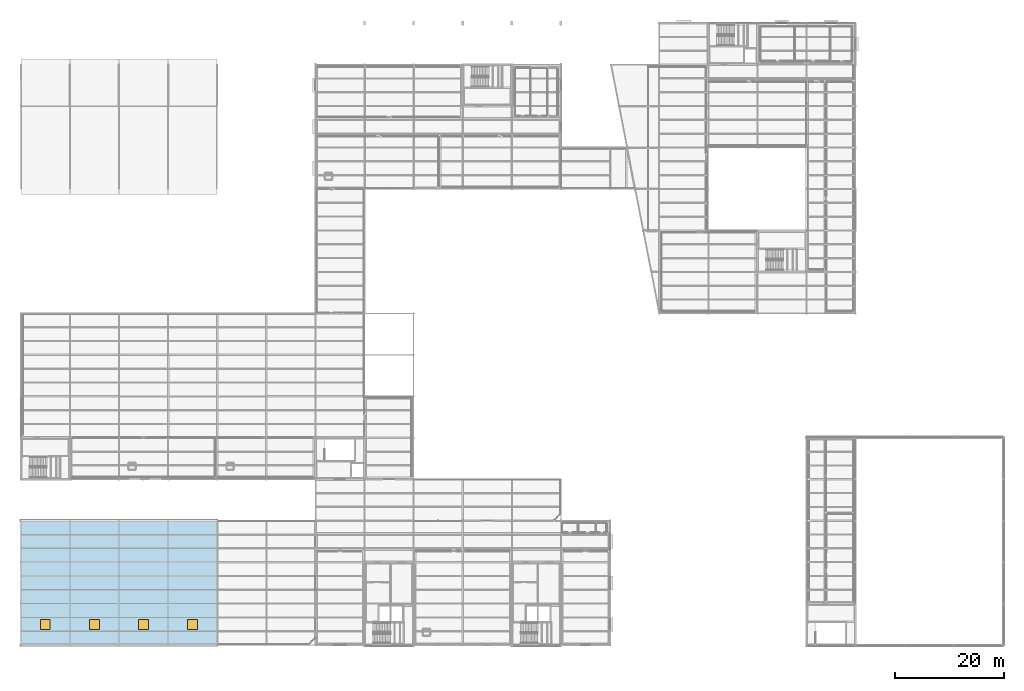
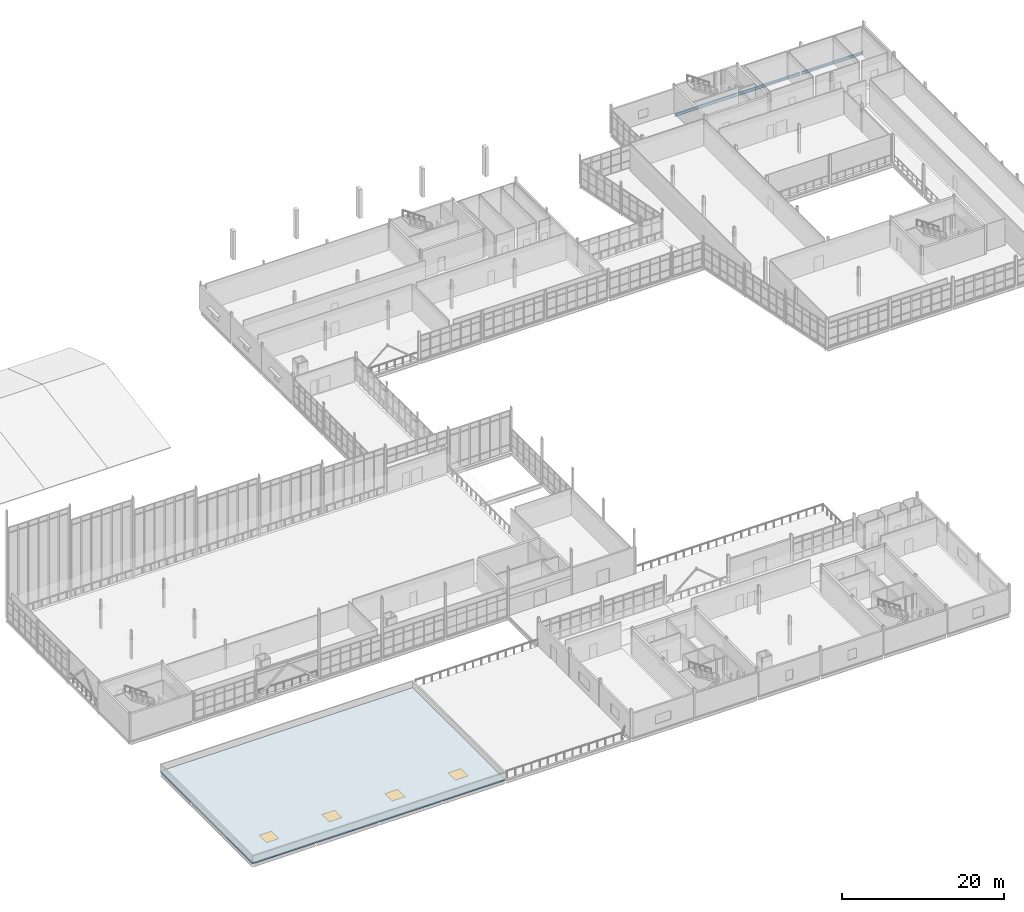
# One storey, part 122 of 166: 4 windows, 3 beams, 1 slab, 4 openings.
"""IFC4 building model written with IfcOpenShell, lengths in metres."""

import ifcopenshell
import ifcopenshell.guid

model = None  # the IFC model being written
_history = None  # IfcOwnerHistory: only IFC2X3 demands one
_inside = {}  # id of a spatial element -> (the spatial element, [elements in it])
_under = {}  # id of a project, library or spatial element -> (it, [spatial elements below it])
_declared = {}  # id of a project -> (the project, [libraries it declares])
_typed = {}  # id of a type object -> (the type object, [elements of that type])
_made_of = {}  # id of a material, layer set ... -> (it, [elements and type objects made of it])


def new_model(schema):
    """Start an empty IFC model of exactly this schema.

    Asked for "IFC4X3", IfcOpenShell would pick the latest addendum, in which some entities
    have other attributes; the version numbers below select the first issue.
    IFC2X3 requires an IfcOwnerHistory on every rooted entity: one is made here for all.
    """
    global model, _history
    if schema == "IFC4X3":
        model = ifcopenshell.file(schema_version=(4, 3, 0, 0))
    else:
        model = ifcopenshell.file(schema=schema)
    _inside.clear()
    _under.clear()
    _declared.clear()
    _typed.clear()
    _made_of.clear()
    _history = None
    if model.schema == "IFC2X3":
        org = make("IfcOrganization", Name="unknown")
        user = make(
            "IfcPersonAndOrganization",
            ThePerson=make("IfcPerson", FamilyName="unknown"),
            TheOrganization=org,
        )
        app = make(
            "IfcApplication",
            ApplicationDeveloper=org,
            Version="unknown",
            ApplicationFullName="unknown",
            ApplicationIdentifier="unknown",
        )
        _history = make(
            "IfcOwnerHistory",
            OwningUser=user,
            OwningApplication=app,
            ChangeAction="ADDED",
            CreationDate=0,
        )
    return model


def make(cls, **values):
    """One entity of the class cls with the attributes given. An attribute that is None is left unset."""
    return model.create_entity(
        cls, **{name: value for name, value in values.items() if value is not None}
    )


def rooted(cls, **values):
    """An entity with a GlobalId (a new one), such as an element, a storey or a relation."""
    return make(cls, GlobalId=ifcopenshell.guid.new(), OwnerHistory=_history, **values)


def si_unit(unit_type, name, prefix=None):
    """IfcSIUnit, for example si_unit("LENGTHUNIT", "METRE", prefix="MILLI")."""
    return make("IfcSIUnit", UnitType=unit_type, Prefix=prefix, Name=name)


def assignment(units):
    """IfcUnitAssignment: the units of a project."""
    return None if units is None else make("IfcUnitAssignment", Units=units)


def point(xyz):
    """IfcCartesianPoint."""
    return None if xyz is None else make("IfcCartesianPoint", Coordinates=xyz)


def direction(xyz):
    """IfcDirection."""
    return None if xyz is None else make("IfcDirection", DirectionRatios=xyz)


def frame(location, z_axis=None, x_axis=None):
    """IfcAxis2Placement3D, a coordinate frame: its origin and axes. An axis left out is left unset."""
    return make(
        "IfcAxis2Placement3D",
        Location=point(location),
        Axis=direction(z_axis),
        RefDirection=direction(x_axis),
    )


def frame_2d(location, x_axis=None):
    """IfcAxis2Placement2D, a coordinate frame in the plane: its origin and x axis."""
    return make(
        "IfcAxis2Placement2D", Location=point(location), RefDirection=direction(x_axis)
    )


def origin():
    """The frame at (0, 0, 0) with its axes left unset."""
    return frame((0.0, 0.0, 0.0))


def origin_2d():
    """The frame at (0, 0) in the plane with its x axis left unset."""
    return frame_2d((0.0, 0.0))


def place(relative_to, where):
    """IfcLocalPlacement: puts the frame where relative to a parent placement (None: the world)."""
    return make(
        "IfcLocalPlacement", PlacementRelTo=relative_to, RelativePlacement=where
    )


def context(
    kind, dimensions, precision=None, world=None, true_north=None, identifier=None
):
    """IfcGeometricRepresentationContext, for example the 3D "Model" context."""
    return make(
        "IfcGeometricRepresentationContext",
        ContextIdentifier=identifier,
        ContextType=kind,
        CoordinateSpaceDimension=dimensions,
        Precision=precision,
        WorldCoordinateSystem=world,
        TrueNorth=true_north,
    )


def subcontext(parent, identifier, kind, view, scale=None):
    """IfcGeometricRepresentationSubContext, for example "Body" below "Model"."""
    return make(
        "IfcGeometricRepresentationSubContext",
        ContextIdentifier=identifier,
        ContextType=kind,
        ParentContext=parent,
        TargetScale=scale,
        TargetView=view,
    )


def project(units=None, contexts=None):
    """IfcProject with its units and contexts."""
    return rooted(
        "IfcProject",
        Name="project",
        RepresentationContexts=contexts,
        UnitsInContext=assignment(units),
    )


def spatial(cls, under=None, at=None, **own):
    """A site, building, storey or space (cls), placed at a placement, below another one or the project."""
    s = rooted(cls, ObjectPlacement=at, **own)
    if under is not None:
        _under.setdefault(under.id(), (under, []))[1].append(s)
    return s


def polyline(points):
    """IfcPolyline through the points."""
    return make("IfcPolyline", Points=[point(p) for p in points])


def profile(cls, at=None, kind="AREA", **sizes):
    """A parametric profile (cls). Its sizes go by their IFC names, for example OverallWidth=200.0."""
    return make(cls, ProfileType=kind, Position=at, **sizes)


def rectangle(**sizes):
    """IfcRectangleProfileDef."""
    return profile("IfcRectangleProfileDef", **sizes)


def i_section(**sizes):
    """IfcIShapeProfileDef."""
    return profile("IfcIShapeProfileDef", **sizes)


def outline(outer, holes=None, kind="AREA"):
    """IfcArbitraryClosedProfileDef: a profile drawn as a closed curve; with holes, ...WithVoids."""
    if holes is None:
        return make("IfcArbitraryClosedProfileDef", ProfileType=kind, OuterCurve=outer)
    return make(
        "IfcArbitraryProfileDefWithVoids",
        ProfileType=kind,
        OuterCurve=outer,
        InnerCurves=holes,
    )


def extrude(swept, where, along, depth):
    """IfcExtrudedAreaSolid: the profile swept, set in the frame where, extruded along a direction by depth."""
    return make(
        "IfcExtrudedAreaSolid",
        SweptArea=swept,
        Position=where,
        ExtrudedDirection=direction(along),
        Depth=depth,
    )


def shape(context_of_items, identifier, shape_type, items):
    """IfcShapeRepresentation: the items that make up one representation, for example the "Body"."""
    return make(
        "IfcShapeRepresentation",
        ContextOfItems=context_of_items,
        RepresentationIdentifier=identifier,
        RepresentationType=shape_type,
        Items=items,
    )


def material(Name=None, Category=None):
    """IfcMaterial."""
    return make("IfcMaterial", Name=Name, Category=Category)


def layer(
    of_material, thickness, ventilated=None, Name=None, Category=None, Priority=None
):
    """IfcMaterialLayer: one layer of a wall or slab, of a material (None: an air gap)."""
    return make(
        "IfcMaterialLayer",
        Material=of_material,
        LayerThickness=thickness,
        IsVentilated=ventilated,
        Name=Name,
        Category=Category,
        Priority=Priority,
    )


def layer_set(layers, Name=None):
    """IfcMaterialLayerSet."""
    return make("IfcMaterialLayerSet", MaterialLayers=layers, LayerSetName=Name)


def material_profile(
    of_material, cross_section, Name=None, Category=None, Priority=None
):
    """IfcMaterialProfile: a cross section and its material."""
    return make(
        "IfcMaterialProfile",
        Name=Name,
        Material=of_material,
        Profile=cross_section,
        Priority=Priority,
        Category=Category,
    )


def profile_set(profiles, Name=None, composite=None):
    """IfcMaterialProfileSet."""
    return make(
        "IfcMaterialProfileSet",
        Name=Name,
        MaterialProfiles=profiles,
        CompositeProfile=composite,
    )


def made_of(thing, what):
    """Note that an element or type object is made of a material, layer set ...; save() writes the relation."""
    if what is not None:
        _made_of.setdefault(what.id(), (what, []))[1].append(thing)
    return thing


def type_object(cls, material=None, **own):
    """A type object (cls), such as IfcWallType, which elements share."""
    return made_of(rooted(cls, **own), material)


def element(
    cls,
    number,
    at=None,
    inside=None,
    cuts=None,
    type_object=None,
    material=None,
    context=None,
    identifier="Body",
    shape_type=None,
    held_by="IfcProductDefinitionShape",
    body=None,
    shapes=None,
    **own,
):
    """One element of the class cls, such as IfcWall. Its Tag is "e" and its number.

    at: its placement. inside: the storey or other place that contains it. cuts: it is an
    opening in that element (IfcRelVoidsElement). A single representation is given by context,
    identifier, shape_type and body (its items); several are given by shapes. held_by: the class
    of the entity that holds the representations. save() writes the other relations.
    """
    e = rooted(cls, Tag="e%d" % number, ObjectPlacement=at, **own)
    if body is not None:
        shapes = [shape(context, identifier, shape_type, body)]
    if shapes is not None:
        e.Representation = make(held_by, Representations=shapes)
    if inside is not None:
        _inside.setdefault(inside.id(), (inside, []))[1].append(e)
    if cuts is not None:
        rooted(
            "IfcRelVoidsElement", RelatingBuildingElement=cuts, RelatedOpeningElement=e
        )
    if type_object is not None:
        _typed.setdefault(type_object.id(), (type_object, []))[1].append(e)
    return made_of(e, material)


def fill(opening, filler):
    """IfcRelFillsElement: the door or window that sits in an opening."""
    return rooted(
        "IfcRelFillsElement",
        RelatingOpeningElement=opening,
        RelatedBuildingElement=filler,
    )


def aggregate(whole, parts):
    """IfcRelAggregates: a whole, such as a stair, and the parts it consists of."""
    return rooted("IfcRelAggregates", RelatingObject=whole, RelatedObjects=parts)


def save(model, path):
    """Write the relations noted so far, then the file.

    IfcRelAggregates (storeys below a building ...), IfcRelContainedInSpatialStructure (elements
    in a storey), IfcRelDefinesByType, IfcRelAssociatesMaterial and IfcRelDeclares: one each for
    every whole, place, type object, material and project.
    """
    for whole, parts in _under.values():
        aggregate(whole, parts)
    for where, things in _inside.values():
        rooted(
            "IfcRelContainedInSpatialStructure",
            RelatedElements=things,
            RelatingStructure=where,
        )
    for kind, things in _typed.values():
        rooted("IfcRelDefinesByType", RelatedObjects=things, RelatingType=kind)
    for what, things in _made_of.values():
        rooted("IfcRelAssociatesMaterial", RelatedObjects=things, RelatingMaterial=what)
    for by, libraries in _declared.values():
        rooted("IfcRelDeclares", RelatingContext=by, RelatedDefinitions=libraries)
    model.write(path)


model = new_model("IFC4")

# Units and contexts
model_context = context("Model", 3, precision=1e-05, world=origin(), true_north=direction((0.0, 1.0)))
body_context = subcontext(model_context, "Body", "Model", "MODEL_VIEW")
ifc_project = project(units=[si_unit("LENGTHUNIT", "METRE"), si_unit("AREAUNIT", "SQUARE_METRE"), si_unit("VOLUMEUNIT", "CUBIC_METRE"), si_unit("PLANEANGLEUNIT", "RADIAN"), si_unit("MASSUNIT", "GRAM", prefix="KILO")], contexts=[model_context])

# Site, building, storey
site_placement = place(None, origin())
site = spatial("IfcSite", under=ifc_project, at=site_placement, CompositionType="ELEMENT")
building_placement = place(site_placement, origin())
building = spatial("IfcBuilding", under=site, at=building_placement, Name="Caisbarro Railhouse Central Library", CompositionType="ELEMENT")
storey_placement = place(building_placement, frame((0.0, 0.0, 9.360107421875)))
storey = spatial("IfcBuildingStorey", under=building, at=storey_placement, Name="L02", CompositionType="ELEMENT", Elevation=9.360107421875)

# Beams
ifc_material_1 = material(Name="Steel ASTM A572 Grade 50", Category="steel")
ifc_material_profile = material_profile(ifc_material_1, i_section(OverallWidth=0.18994140625, OverallDepth=0.45703125, WebThickness=0.009033203125, FlangeThickness=0.014404296875, FilletRadius=0.01806640625, at=origin_2d()), Name="W460X74.0")
ifc_profile_set = profile_set([ifc_material_profile], Name="Steel ASTM A572 Grade 50")
beam_type = type_object("IfcBeamType", Name="BM-SP01", PredefinedType="SPANDREL", material=ifc_profile_set)
for number, where, z_axis, x_axis, name in (
    (1, (126.080078125, 114.0, -0.448486328125), (1.0, 0.0, 0.0), (0.0, 1.0, 0.0), "SP01 beam L02 #1503"),
    (2, (135.080078125, 114.0, -0.448486328125), (1.0, 0.0, 0.0), (0.0, 1.0, 0.0), "SP01 beam L02 #1504"),
    (3, (144.080078125, 114.0, -0.448486328125), (1.0, 0.0, 0.0), (0.0, 1.0, 0.0), "SP01 beam L02 #1505"),
):
    element("IfcBeam", number, at=place(storey_placement, frame(where, z_axis=z_axis, x_axis=x_axis)), inside=storey, type_object=beam_type, Name=name, PredefinedType="SPANDREL", context=body_context, shape_type="SweptSolid", body=[
        extrude(i_section(OverallWidth=0.18994140625, OverallDepth=0.45703125, WebThickness=0.009033203125, FlangeThickness=0.014404296875, FilletRadius=0.01806640625, at=origin_2d()), origin(), (0.0, 0.0, 1.0), 8.83984375),
    ])

# Slab, openings, windows
ifc_material_2 = material(Name="Concrete C35", Category="concrete")
ifc_layer = layer(ifc_material_2, 0.179931640625, Name="Concrete C35")
ifc_layer_set = layer_set([ifc_layer], Name="Concrete C35")
slab_type = type_object("IfcSlabType", Name="SLB-RF18", PredefinedType="ROOF", material=ifc_layer_set)
slab_placement = place(storey_placement, frame((0.0, 0.0, -0.18017578125)))
slab = element("IfcSlab", 4, at=slab_placement, inside=storey, type_object=slab_type, Name="V5W Rail-Buffer Wing Roof Slab", PredefinedType="ROOF", context=body_context, shape_type="SweptSolid", body=[
    extrude(outline(polyline([(0.0, 0.0), (36.0, 0.0), (36.0, 22.800048828125), (0.0, 22.800048828125), (0.0, 0.0)])), origin(), (0.0, 0.0, 1.0), 0.18017578125),
])
opening_1_placement = place(slab_placement, frame((4.5, 3.800048828125, -0.010009765625)))
opening_1 = element("IfcOpeningElement", 5, at=opening_1_placement, cuts=slab, Name="Opening SK01", PredefinedType="OPENING", context=body_context, shape_type="SweptSolid", body=[
    extrude(rectangle(XDim=1.800048828125, YDim=1.800048828125, at=origin_2d()), origin(), (0.0, 0.0, 1.0), 0.2001953125),
])
opening_2_placement = place(slab_placement, frame((13.5, 3.800048828125, -0.010009765625)))
opening_2 = element("IfcOpeningElement", 6, at=opening_2_placement, cuts=slab, Name="Opening SK01", PredefinedType="OPENING", context=body_context, shape_type="SweptSolid", body=[
    extrude(rectangle(XDim=1.800048828125, YDim=1.800048828125, at=origin_2d()), origin(), (0.0, 0.0, 1.0), 0.2001953125),
])
opening_3_placement = place(slab_placement, frame((22.5, 3.800048828125, -0.010009765625)))
opening_3 = element("IfcOpeningElement", 7, at=opening_3_placement, cuts=slab, Name="Opening SK01", PredefinedType="OPENING", context=body_context, shape_type="SweptSolid", body=[
    extrude(rectangle(XDim=1.800048828125, YDim=1.800048828125, at=origin_2d()), origin(), (0.0, 0.0, 1.0), 0.2001953125),
])
opening_4_placement = place(slab_placement, frame((31.5, 3.800048828125, -0.010009765625)))
opening_4 = element("IfcOpeningElement", 8, at=opening_4_placement, cuts=slab, Name="Opening SK01", PredefinedType="OPENING", context=body_context, shape_type="SweptSolid", body=[
    extrude(rectangle(XDim=1.800048828125, YDim=1.800048828125, at=origin_2d()), origin(), (0.0, 0.0, 1.0), 0.2001953125),
])
ifc_material_3 = material(Name="Laminated acoustic skylight glass", Category="glass")
window_type = type_object("IfcWindowType", Name="WIN-SK01", PartitioningType="SINGLE_PANEL", PredefinedType="SKYLIGHT", material=ifc_material_3)
window_1_placement = place(slab_placement, frame((4.5, 3.800048828125, 0.130126953125)))
window_1 = element("IfcWindow", 9, at=window_1_placement, inside=storey, type_object=window_type, Name="SK01 roof skylight 01", OverallHeight=1.800048828125, OverallWidth=1.800048828125, PartitioningType="SINGLE_PANEL", PredefinedType="SKYLIGHT", context=body_context, shape_type="SweptSolid", body=[
    extrude(rectangle(XDim=1.800048828125, YDim=1.800048828125, at=origin_2d()), origin(), (0.0, 0.0, 1.0), 0.050048828125),
])
fill(opening_1, window_1)
window_2_placement = place(slab_placement, frame((13.5, 3.800048828125, 0.130126953125)))
window_2 = element("IfcWindow", 10, at=window_2_placement, inside=storey, type_object=window_type, Name="SK01 roof skylight 02", OverallHeight=1.800048828125, OverallWidth=1.800048828125, PartitioningType="SINGLE_PANEL", PredefinedType="SKYLIGHT", context=body_context, shape_type="SweptSolid", body=[
    extrude(rectangle(XDim=1.800048828125, YDim=1.800048828125, at=origin_2d()), origin(), (0.0, 0.0, 1.0), 0.050048828125),
])
fill(opening_2, window_2)
window_3_placement = place(slab_placement, frame((22.5, 3.800048828125, 0.130126953125)))
window_3 = element("IfcWindow", 11, at=window_3_placement, inside=storey, type_object=window_type, Name="SK01 roof skylight 03", OverallHeight=1.800048828125, OverallWidth=1.800048828125, PartitioningType="SINGLE_PANEL", PredefinedType="SKYLIGHT", context=body_context, shape_type="SweptSolid", body=[
    extrude(rectangle(XDim=1.800048828125, YDim=1.800048828125, at=origin_2d()), origin(), (0.0, 0.0, 1.0), 0.050048828125),
])
fill(opening_3, window_3)
window_4_placement = place(slab_placement, frame((31.5, 3.800048828125, 0.130126953125)))
window_4 = element("IfcWindow", 12, at=window_4_placement, inside=storey, type_object=window_type, Name="SK01 roof skylight 04", OverallHeight=1.800048828125, OverallWidth=1.800048828125, PartitioningType="SINGLE_PANEL", PredefinedType="SKYLIGHT", context=body_context, shape_type="SweptSolid", body=[
    extrude(rectangle(XDim=1.800048828125, YDim=1.800048828125, at=origin_2d()), origin(), (0.0, 0.0, 1.0), 0.050048828125),
])
fill(opening_4, window_4)

save(model, "model.ifc")
